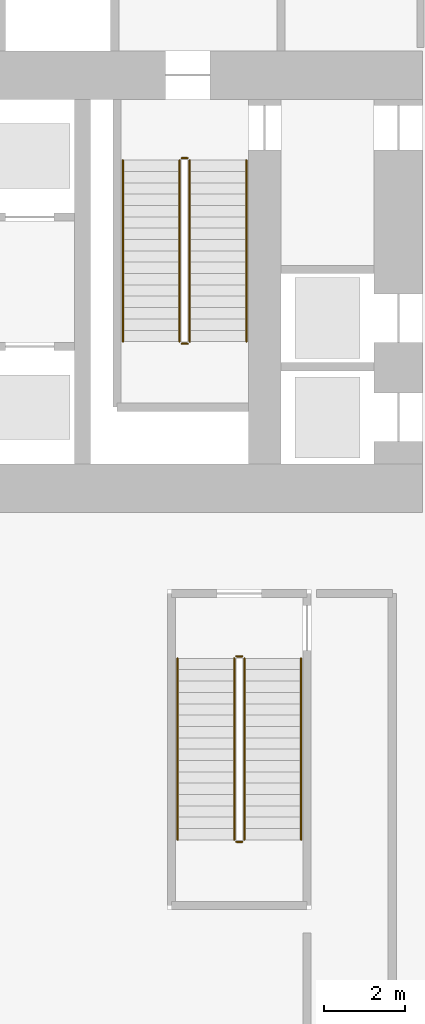
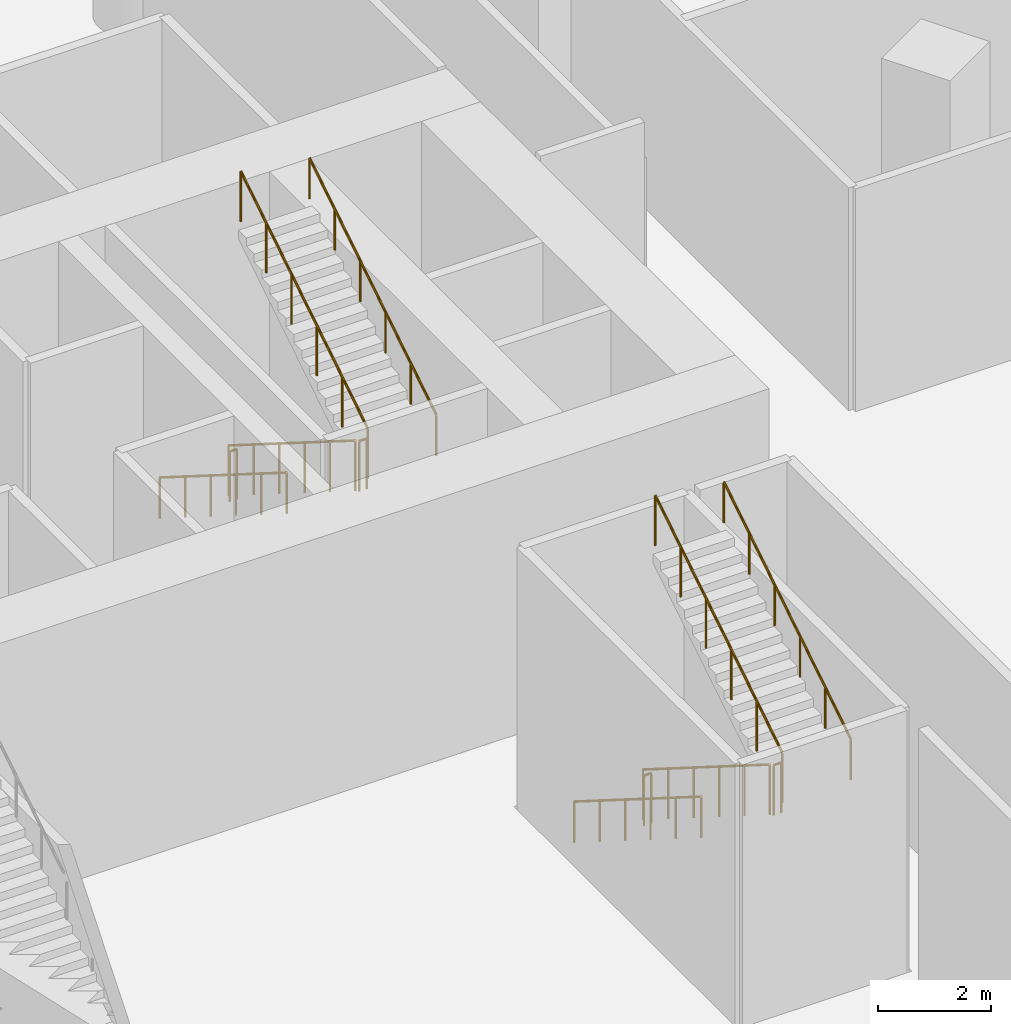
# One storey, part 23 of 25: 12 railings.
"""IFC4 building model written with IfcOpenShell, lengths in metres."""

from ifc_helpers import new_model, si_unit, direction, frame, origin, origin_2d, place, context, subcontext, project, spatial, circle, extrude, material, type_object, element, save


model = new_model("IFC4")

# Units and contexts
model_context = context("Model", 3, precision=1e-05, world=origin(), true_north=direction((0.0, 1.0)))
body_context = subcontext(model_context, "Body", "Model", "MODEL_VIEW")
ifc_project = project(units=[si_unit("LENGTHUNIT", "METRE"), si_unit("AREAUNIT", "SQUARE_METRE"), si_unit("VOLUMEUNIT", "CUBIC_METRE"), si_unit("PLANEANGLEUNIT", "RADIAN"), si_unit("MASSUNIT", "GRAM", prefix="KILO")], contexts=[model_context])

# Site, building, storey
site_placement = place(None, origin())
site = spatial("IfcSite", under=ifc_project, at=site_placement, CompositionType="ELEMENT")
building_placement = place(site_placement, origin())
building = spatial("IfcBuilding", under=site, at=building_placement, Name="Ostrander Bayou Hotel Tower", CompositionType="ELEMENT")
storey_placement = place(building_placement, origin())
storey = spatial("IfcBuildingStorey", under=building, at=storey_placement, Name="L00", CompositionType="ELEMENT", Elevation=0.0)

# Railings
ifc_material_1 = material(Name="Steel ASTM A500 Gr C", Category="steel")
railing_type_1 = type_object("IfcRailingType", Name="GR1 stair guard 1100 mm steel", PredefinedType="GUARDRAIL", material=ifc_material_1)
railing_1_placement = place(storey_placement, frame((6.0, 7.0, 0.176513671875)))
element("IfcRailing", 1, at=railing_1_placement, inside=storey, type_object=railing_type_1, Name="L00 STB stair guard 1", PredefinedType="GUARDRAIL", context=body_context, shape_type="SweptSolid", body=[
    extrude(circle(Radius=0.02392578125, at=origin_2d()), frame((0.0, 0.0, 1.076171875), z_axis=(0.0, -0.845997938375, 0.533186166611), x_axis=(1.0, 0.0, 0.0)), (0.0, 0.0, 1.0), 5.29541015625),
    extrude(circle(Radius=0.02099609375, at=origin_2d()), origin(), (0.0, 0.0, 1.0), 1.052001953125),
    extrude(circle(Radius=0.02099609375, at=origin_2d()), frame((0.0, -0.89599609375, 0.564697265625)), (0.0, 0.0, 1.0), 1.052001953125),
    extrude(circle(Radius=0.02099609375, at=origin_2d()), frame((0.0, -1.7919921875, 1.12939453125)), (0.0, 0.0, 1.0), 1.052001953125),
    extrude(circle(Radius=0.02099609375, at=origin_2d()), frame((0.0, -2.68798828125, 1.694091796875)), (0.0, 0.0, 1.0), 1.052001953125),
    extrude(circle(Radius=0.02099609375, at=origin_2d()), frame((0.0, -3.583984375, 2.2587890625)), (0.0, 0.0, 1.0), 1.052001953125),
    extrude(circle(Radius=0.02099609375, at=origin_2d()), frame((0.0, -4.47998046875, 2.823486328125)), (0.0, 0.0, 1.0), 1.052001953125),
])
railing_2_placement = place(storey_placement, frame((6.050048828125, 2.469970703125, 3.0)))
element("IfcRailing", 2, at=railing_2_placement, inside=storey, type_object=railing_type_1, Name="L00 STB stair guard 2", PredefinedType="GUARDRAIL", context=body_context, shape_type="SweptSolid", body=[
    extrude(circle(Radius=0.02392578125, at=origin_2d()), frame((0.0, 0.0, 1.076171875), z_axis=(1.0, 0.0, 0.0), x_axis=(0.0, 1.0, 0.0)), (0.0, 0.0, 1.0), 0.14990234375),
    extrude(circle(Radius=0.02099609375, at=origin_2d()), origin(), (0.0, 0.0, 1.0), 1.052001953125),
    extrude(circle(Radius=0.02099609375, at=origin_2d()), frame((0.14990234375, 0.0, 0.0)), (0.0, 0.0, 1.0), 1.052001953125),
])
railing_3_placement = place(storey_placement, frame((6.25, 2.52001953125, 3.176513671875)))
element("IfcRailing", 3, at=railing_3_placement, inside=storey, type_object=railing_type_1, Name="L00 STB stair guard 3", PredefinedType="GUARDRAIL", context=body_context, shape_type="SweptSolid", body=[
    extrude(circle(Radius=0.02392578125, at=origin_2d()), frame((0.0, 0.0, 1.076171875), z_axis=(0.0, 0.845997938375, 0.533186166611), x_axis=(-1.0, 0.0, 0.0)), (0.0, 0.0, 1.0), 5.29541015625),
    extrude(circle(Radius=0.02099609375, at=origin_2d()), origin(), (0.0, 0.0, 1.0), 1.052001953125),
    extrude(circle(Radius=0.02099609375, at=origin_2d()), frame((0.0, 0.89599609375, 0.564697265625)), (0.0, 0.0, 1.0), 1.052001953125),
    extrude(circle(Radius=0.02099609375, at=origin_2d()), frame((0.0, 1.7919921875, 1.12939453125)), (0.0, 0.0, 1.0), 1.052001953125),
    extrude(circle(Radius=0.02099609375, at=origin_2d()), frame((0.0, 2.68798828125, 1.694091796875)), (0.0, 0.0, 1.0), 1.052001953125),
    extrude(circle(Radius=0.02099609375, at=origin_2d()), frame((0.0, 3.583984375, 2.2587890625)), (0.0, 0.0, 1.0), 1.052001953125),
    extrude(circle(Radius=0.02099609375, at=origin_2d()), frame((0.0, 4.47998046875, 2.823486328125)), (0.0, 0.0, 1.0), 1.052001953125),
])
railing_4_placement = place(storey_placement, frame((6.050048828125, 7.050048828125, 0.0)))
element("IfcRailing", 4, at=railing_4_placement, inside=storey, type_object=railing_type_1, Name="L00 STB stair guard 4", PredefinedType="GUARDRAIL", context=body_context, shape_type="SweptSolid", body=[
    extrude(circle(Radius=0.02392578125, at=origin_2d()), frame((0.0, 0.0, 1.076171875), z_axis=(1.0, 0.0, 0.0), x_axis=(0.0, 1.0, 0.0)), (0.0, 0.0, 1.0), 0.14990234375),
    extrude(circle(Radius=0.02099609375, at=origin_2d()), origin(), (0.0, 0.0, 1.0), 1.052001953125),
    extrude(circle(Radius=0.02099609375, at=origin_2d()), frame((0.14990234375, 0.0, 0.0)), (0.0, 0.0, 1.0), 1.052001953125),
])
railing_5_placement = place(storey_placement, frame((7.35009765625, -5.300048828125, 0.176513671875)))
element("IfcRailing", 5, at=railing_5_placement, inside=storey, type_object=railing_type_1, Name="L00 STC stair guard 1", PredefinedType="GUARDRAIL", context=body_context, shape_type="SweptSolid", body=[
    extrude(circle(Radius=0.02392578125, at=origin_2d()), frame((0.0, 0.0, 1.076171875), z_axis=(0.0, -0.845997938375, 0.533186166611), x_axis=(1.0, 0.0, 0.0)), (0.0, 0.0, 1.0), 5.29541015625),
    extrude(circle(Radius=0.02099609375, at=origin_2d()), origin(), (0.0, 0.0, 1.0), 1.052001953125),
    extrude(circle(Radius=0.02099609375, at=origin_2d()), frame((0.0, -0.89599609375, 0.564697265625)), (0.0, 0.0, 1.0), 1.052001953125),
    extrude(circle(Radius=0.02099609375, at=origin_2d()), frame((0.0, -1.7919921875, 1.12939453125)), (0.0, 0.0, 1.0), 1.052001953125),
    extrude(circle(Radius=0.02099609375, at=origin_2d()), frame((0.0, -2.68798828125, 1.694091796875)), (0.0, 0.0, 1.0), 1.052001953125),
    extrude(circle(Radius=0.02099609375, at=origin_2d()), frame((0.0, -3.583984375, 2.2587890625)), (0.0, 0.0, 1.0), 1.052001953125),
    extrude(circle(Radius=0.02099609375, at=origin_2d()), frame((0.0, -4.47998046875, 2.823486328125)), (0.0, 0.0, 1.0), 1.052001953125),
])
railing_6_placement = place(storey_placement, frame((7.39990234375, -9.830078125, 3.0)))
element("IfcRailing", 6, at=railing_6_placement, inside=storey, type_object=railing_type_1, Name="L00 STC stair guard 2", PredefinedType="GUARDRAIL", context=body_context, shape_type="SweptSolid", body=[
    extrude(circle(Radius=0.02392578125, at=origin_2d()), frame((0.0, 0.0, 1.076171875), z_axis=(1.0, 0.0, 0.0), x_axis=(0.0, 1.0, 0.0)), (0.0, 0.0, 1.0), 0.150146484375),
    extrude(circle(Radius=0.02099609375, at=origin_2d()), origin(), (0.0, 0.0, 1.0), 1.052001953125),
    extrude(circle(Radius=0.02099609375, at=origin_2d()), frame((0.150146484375, 0.0, 0.0)), (0.0, 0.0, 1.0), 1.052001953125),
])
railing_7_placement = place(storey_placement, frame((7.60009765625, -9.780029296875, 3.176513671875)))
element("IfcRailing", 7, at=railing_7_placement, inside=storey, type_object=railing_type_1, Name="L00 STC stair guard 3", PredefinedType="GUARDRAIL", context=body_context, shape_type="SweptSolid", body=[
    extrude(circle(Radius=0.02392578125, at=origin_2d()), frame((0.0, 0.0, 1.076171875), z_axis=(0.0, 0.845997938375, 0.533186166611), x_axis=(-1.0, 0.0, 0.0)), (0.0, 0.0, 1.0), 5.29541015625),
    extrude(circle(Radius=0.02099609375, at=origin_2d()), origin(), (0.0, 0.0, 1.0), 1.052001953125),
    extrude(circle(Radius=0.02099609375, at=origin_2d()), frame((0.0, 0.89599609375, 0.564697265625)), (0.0, 0.0, 1.0), 1.052001953125),
    extrude(circle(Radius=0.02099609375, at=origin_2d()), frame((0.0, 1.7919921875, 1.12939453125)), (0.0, 0.0, 1.0), 1.052001953125),
    extrude(circle(Radius=0.02099609375, at=origin_2d()), frame((0.0, 2.68798828125, 1.694091796875)), (0.0, 0.0, 1.0), 1.052001953125),
    extrude(circle(Radius=0.02099609375, at=origin_2d()), frame((0.0, 3.583984375, 2.2587890625)), (0.0, 0.0, 1.0), 1.052001953125),
    extrude(circle(Radius=0.02099609375, at=origin_2d()), frame((0.0, 4.47998046875, 2.823486328125)), (0.0, 0.0, 1.0), 1.052001953125),
])
railing_8_placement = place(storey_placement, frame((7.39990234375, -5.25, 0.0)))
element("IfcRailing", 8, at=railing_8_placement, inside=storey, type_object=railing_type_1, Name="L00 STC stair guard 4", PredefinedType="GUARDRAIL", context=body_context, shape_type="SweptSolid", body=[
    extrude(circle(Radius=0.02392578125, at=origin_2d()), frame((0.0, 0.0, 1.076171875), z_axis=(1.0, 0.0, 0.0), x_axis=(0.0, 1.0, 0.0)), (0.0, 0.0, 1.0), 0.150146484375),
    extrude(circle(Radius=0.02099609375, at=origin_2d()), origin(), (0.0, 0.0, 1.0), 1.052001953125),
    extrude(circle(Radius=0.02099609375, at=origin_2d()), frame((0.150146484375, 0.0, 0.0)), (0.0, 0.0, 1.0), 1.052001953125),
])
ifc_material_2 = material(Name="Steel ASTM A500 Gr C", Category="steel")
railing_type_2 = type_object("IfcRailingType", Name="HR1 stair handrail 900 mm steel", PredefinedType="HANDRAIL", material=ifc_material_2)
railing_9_placement = place(storey_placement, frame((4.60009765625, 7.0, 0.176513671875)))
element("IfcRailing", 9, at=railing_9_placement, inside=storey, type_object=railing_type_2, Name="L00 STB stair handrail 1", PredefinedType="HANDRAIL", context=body_context, shape_type="SweptSolid", body=[
    extrude(circle(Radius=0.02392578125, at=origin_2d()), frame((0.0, 0.0, 0.8759765625), z_axis=(0.0, -0.845997938375, 0.533186166611), x_axis=(1.0, 0.0, 0.0)), (0.0, 0.0, 1.0), 5.29541015625),
    extrude(circle(Radius=0.02099609375, at=origin_2d()), origin(), (0.0, 0.0, 1.0), 0.851806640625),
    extrude(circle(Radius=0.02099609375, at=origin_2d()), frame((0.0, -0.89599609375, 0.564697265625)), (0.0, 0.0, 1.0), 0.851806640625),
    extrude(circle(Radius=0.02099609375, at=origin_2d()), frame((0.0, -1.7919921875, 1.12939453125)), (0.0, 0.0, 1.0), 0.851806640625),
    extrude(circle(Radius=0.02099609375, at=origin_2d()), frame((0.0, -2.68798828125, 1.694091796875)), (0.0, 0.0, 1.0), 0.851806640625),
    extrude(circle(Radius=0.02099609375, at=origin_2d()), frame((0.0, -3.583984375, 2.2587890625)), (0.0, 0.0, 1.0), 0.851806640625),
    extrude(circle(Radius=0.02099609375, at=origin_2d()), frame((0.0, -4.47998046875, 2.823486328125)), (0.0, 0.0, 1.0), 0.851806640625),
])
railing_10_placement = place(storey_placement, frame((7.64990234375, 2.52001953125, 3.176513671875)))
element("IfcRailing", 10, at=railing_10_placement, inside=storey, type_object=railing_type_2, Name="L00 STB stair handrail 2", PredefinedType="HANDRAIL", context=body_context, shape_type="SweptSolid", body=[
    extrude(circle(Radius=0.02392578125, at=origin_2d()), frame((0.0, 0.0, 0.8759765625), z_axis=(0.0, 0.845997938375, 0.533186166611), x_axis=(-1.0, 0.0, 0.0)), (0.0, 0.0, 1.0), 5.29541015625),
    extrude(circle(Radius=0.02099609375, at=origin_2d()), origin(), (0.0, 0.0, 1.0), 0.851806640625),
    extrude(circle(Radius=0.02099609375, at=origin_2d()), frame((0.0, 0.89599609375, 0.564697265625)), (0.0, 0.0, 1.0), 0.851806640625),
    extrude(circle(Radius=0.02099609375, at=origin_2d()), frame((0.0, 1.7919921875, 1.12939453125)), (0.0, 0.0, 1.0), 0.851806640625),
    extrude(circle(Radius=0.02099609375, at=origin_2d()), frame((0.0, 2.68798828125, 1.694091796875)), (0.0, 0.0, 1.0), 0.851806640625),
    extrude(circle(Radius=0.02099609375, at=origin_2d()), frame((0.0, 3.583984375, 2.2587890625)), (0.0, 0.0, 1.0), 0.851806640625),
    extrude(circle(Radius=0.02099609375, at=origin_2d()), frame((0.0, 4.47998046875, 2.823486328125)), (0.0, 0.0, 1.0), 0.851806640625),
])
railing_11_placement = place(storey_placement, frame((5.949951171875, -5.300048828125, 0.176513671875)))
element("IfcRailing", 11, at=railing_11_placement, inside=storey, type_object=railing_type_2, Name="L00 STC stair handrail 1", PredefinedType="HANDRAIL", context=body_context, shape_type="SweptSolid", body=[
    extrude(circle(Radius=0.02392578125, at=origin_2d()), frame((0.0, 0.0, 0.8759765625), z_axis=(0.0, -0.845997938375, 0.533186166611), x_axis=(1.0, 0.0, 0.0)), (0.0, 0.0, 1.0), 5.29541015625),
    extrude(circle(Radius=0.02099609375, at=origin_2d()), origin(), (0.0, 0.0, 1.0), 0.851806640625),
    extrude(circle(Radius=0.02099609375, at=origin_2d()), frame((0.0, -0.89599609375, 0.564697265625)), (0.0, 0.0, 1.0), 0.851806640625),
    extrude(circle(Radius=0.02099609375, at=origin_2d()), frame((0.0, -1.7919921875, 1.12939453125)), (0.0, 0.0, 1.0), 0.851806640625),
    extrude(circle(Radius=0.02099609375, at=origin_2d()), frame((0.0, -2.68798828125, 1.694091796875)), (0.0, 0.0, 1.0), 0.851806640625),
    extrude(circle(Radius=0.02099609375, at=origin_2d()), frame((0.0, -3.583984375, 2.2587890625)), (0.0, 0.0, 1.0), 0.851806640625),
    extrude(circle(Radius=0.02099609375, at=origin_2d()), frame((0.0, -4.47998046875, 2.823486328125)), (0.0, 0.0, 1.0), 0.851806640625),
])
railing_12_placement = place(storey_placement, frame((9.0, -9.780029296875, 3.176513671875)))
element("IfcRailing", 12, at=railing_12_placement, inside=storey, type_object=railing_type_2, Name="L00 STC stair handrail 2", PredefinedType="HANDRAIL", context=body_context, shape_type="SweptSolid", body=[
    extrude(circle(Radius=0.02392578125, at=origin_2d()), frame((0.0, 0.0, 0.8759765625), z_axis=(0.0, 0.845997938375, 0.533186166611), x_axis=(-1.0, 0.0, 0.0)), (0.0, 0.0, 1.0), 5.29541015625),
    extrude(circle(Radius=0.02099609375, at=origin_2d()), origin(), (0.0, 0.0, 1.0), 0.851806640625),
    extrude(circle(Radius=0.02099609375, at=origin_2d()), frame((0.0, 0.89599609375, 0.564697265625)), (0.0, 0.0, 1.0), 0.851806640625),
    extrude(circle(Radius=0.02099609375, at=origin_2d()), frame((0.0, 1.7919921875, 1.12939453125)), (0.0, 0.0, 1.0), 0.851806640625),
    extrude(circle(Radius=0.02099609375, at=origin_2d()), frame((0.0, 2.68798828125, 1.694091796875)), (0.0, 0.0, 1.0), 0.851806640625),
    extrude(circle(Radius=0.02099609375, at=origin_2d()), frame((0.0, 3.583984375, 2.2587890625)), (0.0, 0.0, 1.0), 0.851806640625),
    extrude(circle(Radius=0.02099609375, at=origin_2d()), frame((0.0, 4.47998046875, 2.823486328125)), (0.0, 0.0, 1.0), 0.851806640625),
])

save(model, "model.ifc")
